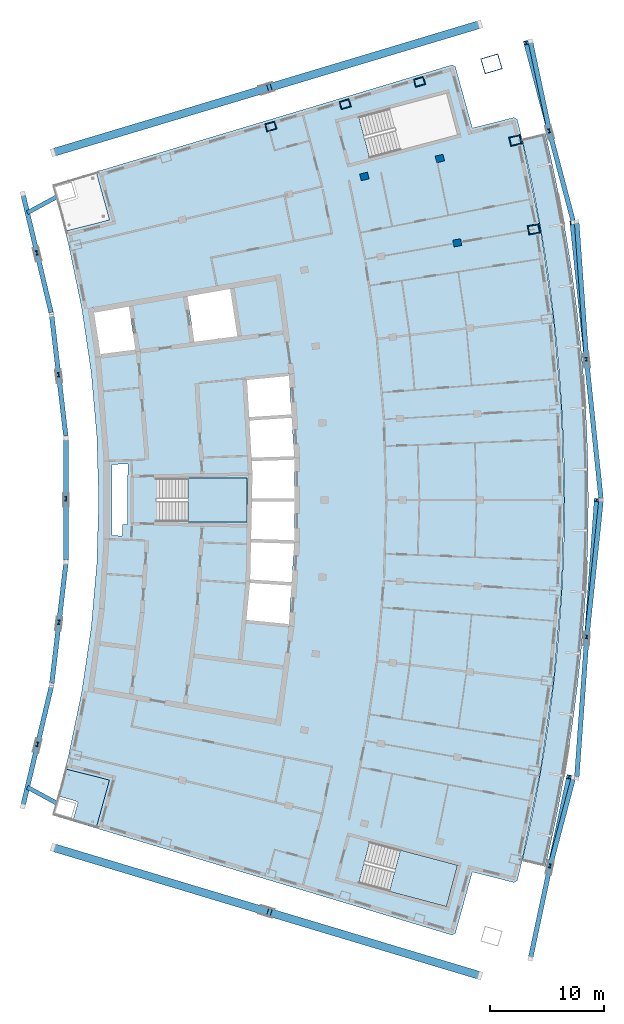
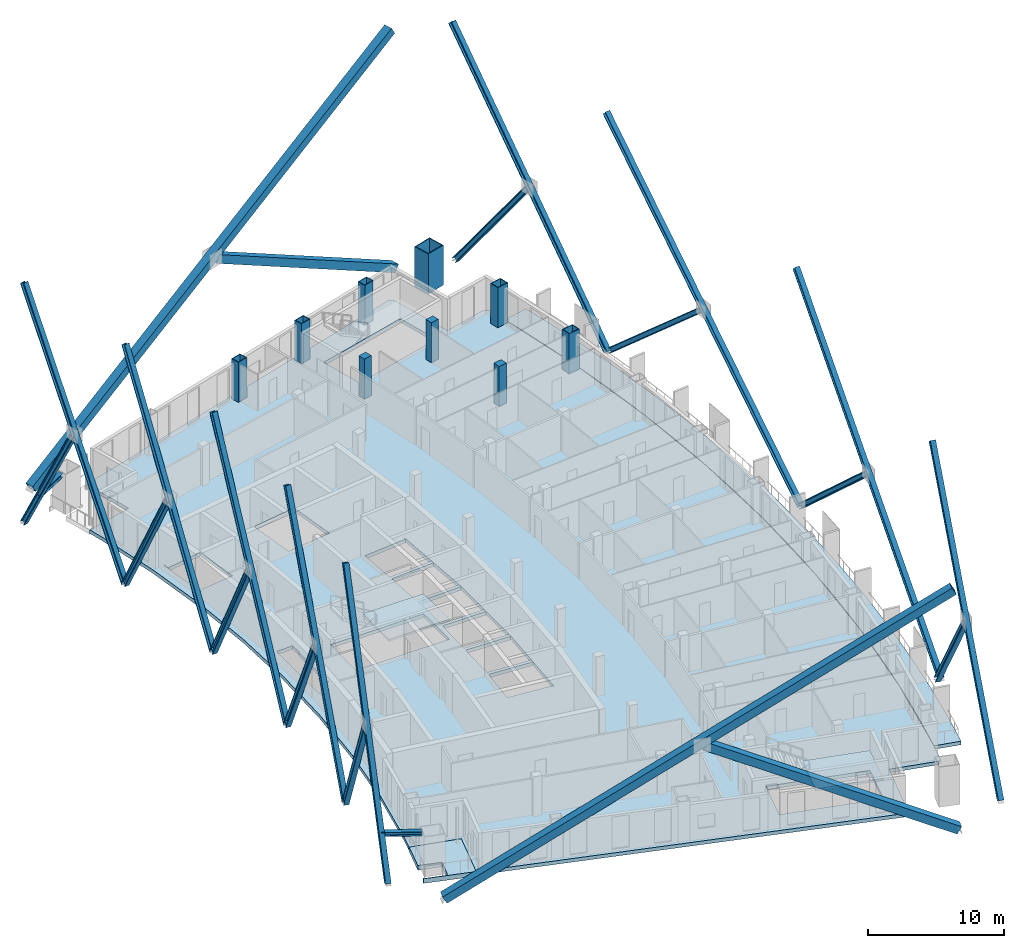
# One storey, part 6 of 21: 24 members, 9 columns, 5 slabs, 2 elements without a shape of their own.
"""IFC4 building model written with IfcOpenShell, lengths in metres."""

import ifcopenshell
import ifcopenshell.guid

model = None  # the IFC model being written
_history = None  # IfcOwnerHistory: only IFC2X3 demands one
_inside = {}  # id of a spatial element -> (the spatial element, [elements in it])
_under = {}  # id of a project, library or spatial element -> (it, [spatial elements below it])
_declared = {}  # id of a project -> (the project, [libraries it declares])
_typed = {}  # id of a type object -> (the type object, [elements of that type])
_made_of = {}  # id of a material, layer set ... -> (it, [elements and type objects made of it])


def new_model(schema):
    """Start an empty IFC model of exactly this schema.

    Asked for "IFC4X3", IfcOpenShell would pick the latest addendum, in which some entities
    have other attributes; the version numbers below select the first issue.
    IFC2X3 requires an IfcOwnerHistory on every rooted entity: one is made here for all.
    """
    global model, _history
    if schema == "IFC4X3":
        model = ifcopenshell.file(schema_version=(4, 3, 0, 0))
    else:
        model = ifcopenshell.file(schema=schema)
    _inside.clear()
    _under.clear()
    _declared.clear()
    _typed.clear()
    _made_of.clear()
    _history = None
    if model.schema == "IFC2X3":
        org = make("IfcOrganization", Name="unknown")
        user = make(
            "IfcPersonAndOrganization",
            ThePerson=make("IfcPerson", FamilyName="unknown"),
            TheOrganization=org,
        )
        app = make(
            "IfcApplication",
            ApplicationDeveloper=org,
            Version="unknown",
            ApplicationFullName="unknown",
            ApplicationIdentifier="unknown",
        )
        _history = make(
            "IfcOwnerHistory",
            OwningUser=user,
            OwningApplication=app,
            ChangeAction="ADDED",
            CreationDate=0,
        )
    return model


def make(cls, **values):
    """One entity of the class cls with the attributes given. An attribute that is None is left unset."""
    return model.create_entity(
        cls, **{name: value for name, value in values.items() if value is not None}
    )


def rooted(cls, **values):
    """An entity with a GlobalId (a new one), such as an element, a storey or a relation."""
    return make(cls, GlobalId=ifcopenshell.guid.new(), OwnerHistory=_history, **values)


def si_unit(unit_type, name, prefix=None):
    """IfcSIUnit, for example si_unit("LENGTHUNIT", "METRE", prefix="MILLI")."""
    return make("IfcSIUnit", UnitType=unit_type, Prefix=prefix, Name=name)


def assignment(units):
    """IfcUnitAssignment: the units of a project."""
    return None if units is None else make("IfcUnitAssignment", Units=units)


def point(xyz):
    """IfcCartesianPoint."""
    return None if xyz is None else make("IfcCartesianPoint", Coordinates=xyz)


def direction(xyz):
    """IfcDirection."""
    return None if xyz is None else make("IfcDirection", DirectionRatios=xyz)


def frame(location, z_axis=None, x_axis=None):
    """IfcAxis2Placement3D, a coordinate frame: its origin and axes. An axis left out is left unset."""
    return make(
        "IfcAxis2Placement3D",
        Location=point(location),
        Axis=direction(z_axis),
        RefDirection=direction(x_axis),
    )


def frame_2d(location, x_axis=None):
    """IfcAxis2Placement2D, a coordinate frame in the plane: its origin and x axis."""
    return make(
        "IfcAxis2Placement2D", Location=point(location), RefDirection=direction(x_axis)
    )


def origin():
    """The frame at (0, 0, 0) with its axes left unset."""
    return frame((0.0, 0.0, 0.0))


def origin_2d():
    """The frame at (0, 0) in the plane with its x axis left unset."""
    return frame_2d((0.0, 0.0))


def place(relative_to, where):
    """IfcLocalPlacement: puts the frame where relative to a parent placement (None: the world)."""
    return make(
        "IfcLocalPlacement", PlacementRelTo=relative_to, RelativePlacement=where
    )


def context(
    kind, dimensions, precision=None, world=None, true_north=None, identifier=None
):
    """IfcGeometricRepresentationContext, for example the 3D "Model" context."""
    return make(
        "IfcGeometricRepresentationContext",
        ContextIdentifier=identifier,
        ContextType=kind,
        CoordinateSpaceDimension=dimensions,
        Precision=precision,
        WorldCoordinateSystem=world,
        TrueNorth=true_north,
    )


def subcontext(parent, identifier, kind, view, scale=None):
    """IfcGeometricRepresentationSubContext, for example "Body" below "Model"."""
    return make(
        "IfcGeometricRepresentationSubContext",
        ContextIdentifier=identifier,
        ContextType=kind,
        ParentContext=parent,
        TargetScale=scale,
        TargetView=view,
    )


def project(units=None, contexts=None):
    """IfcProject with its units and contexts."""
    return rooted(
        "IfcProject",
        Name="project",
        RepresentationContexts=contexts,
        UnitsInContext=assignment(units),
    )


def spatial(cls, under=None, at=None, **own):
    """A site, building, storey or space (cls), placed at a placement, below another one or the project."""
    s = rooted(cls, ObjectPlacement=at, **own)
    if under is not None:
        _under.setdefault(under.id(), (under, []))[1].append(s)
    return s


def polyline(points):
    """IfcPolyline through the points."""
    return make("IfcPolyline", Points=[point(p) for p in points])


def profile(cls, at=None, kind="AREA", **sizes):
    """A parametric profile (cls). Its sizes go by their IFC names, for example OverallWidth=200.0."""
    return make(cls, ProfileType=kind, Position=at, **sizes)


def rectangle(**sizes):
    """IfcRectangleProfileDef."""
    return profile("IfcRectangleProfileDef", **sizes)


def hollow_rectangle(**sizes):
    """IfcRectangleHollowProfileDef."""
    return profile("IfcRectangleHollowProfileDef", **sizes)


def i_section(**sizes):
    """IfcIShapeProfileDef."""
    return profile("IfcIShapeProfileDef", **sizes)


def outline(outer, holes=None, kind="AREA"):
    """IfcArbitraryClosedProfileDef: a profile drawn as a closed curve; with holes, ...WithVoids."""
    if holes is None:
        return make("IfcArbitraryClosedProfileDef", ProfileType=kind, OuterCurve=outer)
    return make(
        "IfcArbitraryProfileDefWithVoids",
        ProfileType=kind,
        OuterCurve=outer,
        InnerCurves=holes,
    )


def extrude(swept, where, along, depth):
    """IfcExtrudedAreaSolid: the profile swept, set in the frame where, extruded along a direction by depth."""
    return make(
        "IfcExtrudedAreaSolid",
        SweptArea=swept,
        Position=where,
        ExtrudedDirection=direction(along),
        Depth=depth,
    )


def shape(context_of_items, identifier, shape_type, items):
    """IfcShapeRepresentation: the items that make up one representation, for example the "Body"."""
    return make(
        "IfcShapeRepresentation",
        ContextOfItems=context_of_items,
        RepresentationIdentifier=identifier,
        RepresentationType=shape_type,
        Items=items,
    )


def material(Name=None, Category=None):
    """IfcMaterial."""
    return make("IfcMaterial", Name=Name, Category=Category)


def layer(
    of_material, thickness, ventilated=None, Name=None, Category=None, Priority=None
):
    """IfcMaterialLayer: one layer of a wall or slab, of a material (None: an air gap)."""
    return make(
        "IfcMaterialLayer",
        Material=of_material,
        LayerThickness=thickness,
        IsVentilated=ventilated,
        Name=Name,
        Category=Category,
        Priority=Priority,
    )


def layer_set(layers, Name=None):
    """IfcMaterialLayerSet."""
    return make("IfcMaterialLayerSet", MaterialLayers=layers, LayerSetName=Name)


def material_profile(
    of_material, cross_section, Name=None, Category=None, Priority=None
):
    """IfcMaterialProfile: a cross section and its material."""
    return make(
        "IfcMaterialProfile",
        Name=Name,
        Material=of_material,
        Profile=cross_section,
        Priority=Priority,
        Category=Category,
    )


def profile_set(profiles, Name=None, composite=None):
    """IfcMaterialProfileSet."""
    return make(
        "IfcMaterialProfileSet",
        Name=Name,
        MaterialProfiles=profiles,
        CompositeProfile=composite,
    )


def made_of(thing, what):
    """Note that an element or type object is made of a material, layer set ...; save() writes the relation."""
    if what is not None:
        _made_of.setdefault(what.id(), (what, []))[1].append(thing)
    return thing


def type_object(cls, material=None, **own):
    """A type object (cls), such as IfcWallType, which elements share."""
    return made_of(rooted(cls, **own), material)


def element(
    cls,
    number,
    at=None,
    inside=None,
    cuts=None,
    type_object=None,
    material=None,
    context=None,
    identifier="Body",
    shape_type=None,
    held_by="IfcProductDefinitionShape",
    body=None,
    shapes=None,
    **own,
):
    """One element of the class cls, such as IfcWall. Its Tag is "e" and its number.

    at: its placement. inside: the storey or other place that contains it. cuts: it is an
    opening in that element (IfcRelVoidsElement). A single representation is given by context,
    identifier, shape_type and body (its items); several are given by shapes. held_by: the class
    of the entity that holds the representations. save() writes the other relations.
    """
    e = rooted(cls, Tag="e%d" % number, ObjectPlacement=at, **own)
    if body is not None:
        shapes = [shape(context, identifier, shape_type, body)]
    if shapes is not None:
        e.Representation = make(held_by, Representations=shapes)
    if inside is not None:
        _inside.setdefault(inside.id(), (inside, []))[1].append(e)
    if cuts is not None:
        rooted(
            "IfcRelVoidsElement", RelatingBuildingElement=cuts, RelatedOpeningElement=e
        )
    if type_object is not None:
        _typed.setdefault(type_object.id(), (type_object, []))[1].append(e)
    return made_of(e, material)


def aggregate(whole, parts):
    """IfcRelAggregates: a whole, such as a stair, and the parts it consists of."""
    return rooted("IfcRelAggregates", RelatingObject=whole, RelatedObjects=parts)


def save(model, path):
    """Write the relations noted so far, then the file.

    IfcRelAggregates (storeys below a building ...), IfcRelContainedInSpatialStructure (elements
    in a storey), IfcRelDefinesByType, IfcRelAssociatesMaterial and IfcRelDeclares: one each for
    every whole, place, type object, material and project.
    """
    for whole, parts in _under.values():
        aggregate(whole, parts)
    for where, things in _inside.values():
        rooted(
            "IfcRelContainedInSpatialStructure",
            RelatedElements=things,
            RelatingStructure=where,
        )
    for kind, things in _typed.values():
        rooted("IfcRelDefinesByType", RelatedObjects=things, RelatingType=kind)
    for what, things in _made_of.values():
        rooted("IfcRelAssociatesMaterial", RelatedObjects=things, RelatingMaterial=what)
    for by, libraries in _declared.values():
        rooted("IfcRelDeclares", RelatingContext=by, RelatedDefinitions=libraries)
    model.write(path)


model = new_model("IFC4")

# Units and contexts
model_context = context("Model", 3, precision=1e-05, world=origin(), true_north=direction((0.0, 1.0)))
body_context = subcontext(model_context, "Body", "Model", "MODEL_VIEW")
ifc_project = project(units=[si_unit("LENGTHUNIT", "METRE"), si_unit("AREAUNIT", "SQUARE_METRE"), si_unit("VOLUMEUNIT", "CUBIC_METRE"), si_unit("PLANEANGLEUNIT", "RADIAN"), si_unit("MASSUNIT", "GRAM", prefix="KILO")], contexts=[model_context])

# Site, building, storey
site_placement = place(None, origin())
site = spatial("IfcSite", under=ifc_project, at=site_placement, CompositionType="ELEMENT")
building_placement = place(site_placement, origin())
building = spatial("IfcBuilding", under=site, at=building_placement, Name="Alderwake Tower", CompositionType="ELEMENT")
storey_placement = place(building_placement, frame((0.0, 0.0, 267.199951171875)))
storey = spatial("IfcBuildingStorey", under=building, at=storey_placement, Name="L66", CompositionType="ELEMENT", Elevation=267.199951171875)

# Columns
ifc_material_1 = material(Name="Steel ASTM A572 Grade 50 concrete filled C70/85", Category="concrete")
ifc_material_profile_1 = material_profile(ifc_material_1, hollow_rectangle(XDim=0.699951171875, YDim=0.89990234375, WallThickness=0.050048828125, at=origin_2d()), Name="BOX 900X700X50")
ifc_profile_set_1 = profile_set([ifc_material_profile_1], Name="Steel ASTM A572 Grade 50 concrete filled C70/85")
column_type_1 = type_object("IfcColumnType", Name="End column Z5", PredefinedType="COLUMN", material=ifc_profile_set_1)
for number, where, z_axis, x_axis, name in (
    (1, (31.080322265625, 93.72314453125, 0.0), (0.0, 0.0, 1.0), (-0.282582549822, 0.959242984095, 0.0), "Column R12-C2"),
    (2, (37.59326171875, 95.678466796875, 0.0), (0.0, 0.0, 1.0), (-0.282858780249, 0.959161566388, 0.0), "Column R12-C3"),
    (3, (44.106201171875, 97.6337890625, 0.0), (0.0, 0.0, 1.0), (-0.28310485669, 0.95908896361, 0.0), "Column R12-C4"),
):
    element("IfcColumn", number, at=place(storey_placement, frame(where, z_axis=z_axis, x_axis=x_axis)), inside=storey, type_object=column_type_1, Name=name, PredefinedType="COLUMN", context=body_context, shape_type="SweptSolid", body=[
        extrude(hollow_rectangle(XDim=0.699951171875, YDim=0.89990234375, WallThickness=0.050048828125, at=origin_2d()), origin(), (0.0, 0.0, 1.0), 3.60009765625),
    ])
ifc_material_2 = material(Name="Concrete C70/85", Category="concrete")
ifc_material_profile_2 = material_profile(ifc_material_2, rectangle(XDim=0.60009765625, YDim=0.699951171875, at=origin_2d()), Name="RC 700X600")
ifc_profile_set_2 = profile_set([ifc_material_profile_2], Name="Concrete C70/85")
column_type_2 = type_object("IfcColumnType", Name="Interior column Z5", PredefinedType="COLUMN", material=ifc_profile_set_2)
for number, where, z_axis, x_axis, name in (
    (4, (47.423583984375, 83.529541015625, 0.0), (0.0, 0.0, 1.0), (-0.174108800747, 0.984726421654, 0.0), "Column R10-C4"),
    (5, (39.277587890625, 89.347900390625, 0.0), (0.0, 0.0, 1.0), (-0.231221547198, 0.972901123502, 0.0), "Column R11-C3"),
    (6, (45.893310546875, 90.920166015625, 0.0), (0.0, 0.0, 1.0), (-0.231221547198, 0.972901123502, 0.0), "Column R11-C4"),
):
    element("IfcColumn", number, at=place(storey_placement, frame(where, z_axis=z_axis, x_axis=x_axis)), inside=storey, type_object=column_type_2, Name=name, PredefinedType="COLUMN", context=body_context, shape_type="SweptSolid", body=[
        extrude(rectangle(XDim=0.60009765625, YDim=0.699951171875, at=origin_2d()), origin(), (0.0, 0.0, 1.0), 3.60009765625),
    ])
ifc_material_3 = material(Name="Steel ASTM A572 Grade 50 concrete filled C70/85", Category="concrete")
ifc_material_profile_3 = material_profile(ifc_material_3, hollow_rectangle(XDim=1.39990234375, YDim=1.60009765625, WallThickness=0.070068359375, at=origin_2d()), Name="BOX 1600X1400X70")
ifc_profile_set_3 = profile_set([ifc_material_profile_3], Name="Steel ASTM A572 Grade 50 concrete filled C70/85")
column_type_3 = type_object("IfcColumnType", Name="Mega column Z5", PredefinedType="COLUMN", material=ifc_profile_set_3)
column_placement = place(storey_placement, frame((50.415771484375, 99.217041015625, 0.0), z_axis=(0.0, 0.0, 1.0), x_axis=(-0.281214445816, 0.959644952816, 0.0)))
element("IfcColumn", 7, at=column_placement, inside=storey, type_object=column_type_3, Name="Column R12-C5", PredefinedType="COLUMN", context=body_context, shape_type="SweptSolid", body=[
    extrude(hollow_rectangle(XDim=1.39990234375, YDim=1.60009765625, WallThickness=0.070068359375, at=origin_2d()), origin(), (0.0, 0.0, 1.0), 3.60009765625),
])
ifc_material_4 = material(Name="Steel ASTM A572 Grade 50 concrete filled C70/85", Category="concrete")
ifc_material_profile_4 = material_profile(ifc_material_4, hollow_rectangle(XDim=0.800048828125, YDim=1.0, WallThickness=0.054931640625, at=origin_2d()), Name="BOX 1000X800X55")
ifc_profile_set_4 = profile_set([ifc_material_profile_4], Name="Steel ASTM A572 Grade 50 concrete filled C70/85")
column_type_4 = type_object("IfcColumnType", Name="Perimeter column Z5", PredefinedType="COLUMN", material=ifc_profile_set_4)
for number, where, z_axis, x_axis, name in (
    (8, (54.119873046875, 84.71337890625, 0.0), (0.0, 0.0, 1.0), (-0.174107082075, 0.984726725529, 0.0), "Column R10-C5"),
    (9, (52.509033203125, 92.492431640625, 0.0), (0.0, 0.0, 1.0), (-0.231221547198, 0.972901123502, 0.0), "Column R11-C5"),
):
    element("IfcColumn", number, at=place(storey_placement, frame(where, z_axis=z_axis, x_axis=x_axis)), inside=storey, type_object=column_type_4, Name=name, PredefinedType="COLUMN", context=body_context, shape_type="SweptSolid", body=[
        extrude(hollow_rectangle(XDim=0.800048828125, YDim=1.0, WallThickness=0.054931640625, at=origin_2d()), origin(), (0.0, 0.0, 1.0), 3.60009765625),
    ])

# Members
ifc_material_5 = material(Name="Steel ASTM A992 Grade 50", Category="steel")
ifc_material_profile_5 = material_profile(ifc_material_5, i_section(OverallWidth=0.3740234375, OverallDepth=0.372314453125, WebThickness=0.016357421875, FlangeThickness=0.026123046875, at=origin_2d()), Name="W14X132")
ifc_profile_set_5 = profile_set([ifc_material_profile_5], Name="Steel ASTM A992 Grade 50")
member_type_1 = type_object("IfcMemberType", Name="Brace node stub W14X132", PredefinedType="MEMBER", material=ifc_profile_set_5)
for number, where, z_axis, x_axis, name in (
    (10, (12.394775390625, 34.39599609375, 3.393798828125), (-0.87806620214, 0.478539177769, 0.0), (-0.478539177769, -0.87806620214, 0.0), "Brace node stub BS.RR02-C0.2708"),
    (11, (12.394775390625, 87.60400390625, 3.393798828125), (-0.87806620214, -0.478539177769, 0.0), (0.478539177769, -0.87806620214, 0.0), "Brace node stub BS.RR12-C0.2708"),
):
    element("IfcMember", number, at=place(storey_placement, frame(where, z_axis=z_axis, x_axis=x_axis)), inside=storey, type_object=member_type_1, Name=name, PredefinedType="MEMBER", context=body_context, shape_type="SweptSolid", body=[
        extrude(i_section(OverallWidth=0.3740234375, OverallDepth=0.372314453125, WebThickness=0.016357421875, FlangeThickness=0.026123046875, at=origin_2d()), origin(), (0.0, 0.0, 1.0), 3.006591796875),
    ])
ifc_material_6 = material(Name="Steel ASTM A572 Grade 50", Category="steel")
ifc_material_profile_6 = material_profile(ifc_material_6, hollow_rectangle(XDim=0.699951171875, YDim=0.699951171875, WallThickness=0.044921875, at=origin_2d()), Name="BOX 700X700X45")
ifc_profile_set_6 = profile_set([ifc_material_profile_6], Name="Steel ASTM A572 Grade 50")
member_type_2 = type_object("IfcMemberType", Name="Mega brace end Z5", PredefinedType="BRACE", material=ifc_profile_set_6)
member_1_placement = place(storey_placement, frame((12.031005859375, 30.550537109375, 0.0), z_axis=(0.835804812087, -0.250930760765, 0.488327829838), x_axis=(0.287546909222, 0.957766555585, 0.0)))
element("IfcMember", 12, at=member_1_placement, inside=storey, type_object=member_type_2, Name="Brace BRS5.2.0A", PredefinedType="BRACE", context=body_context, shape_type="SweptSolid", body=[
    extrude(hollow_rectangle(XDim=0.699951171875, YDim=0.699951171875, WallThickness=0.044921875, at=origin_2d()), origin(), (0.0, 0.0, 1.0), 44.232666015625),
])
member_2_placement = place(storey_placement, frame((49.384033203125, 19.336181640625, 0.0), z_axis=(-0.837842446118, 0.251544795136, 0.484505161503), x_axis=(-0.287549302812, -0.957765836963, 0.0)))
element("IfcMember", 13, at=member_2_placement, inside=storey, type_object=member_type_2, Name="Brace BRS5.2.0B1", PredefinedType="BRACE", context=body_context, shape_type="SweptSolid", body=[
    extrude(hollow_rectangle(XDim=0.699951171875, YDim=0.699951171875, WallThickness=0.044921875, at=origin_2d()), origin(), (0.0, 0.0, 1.0), 21.990966796875),
])
member_3_placement = place(storey_placement, frame((12.031005859375, 91.449462890625, 0.0), z_axis=(0.835804812087, 0.250930760765, 0.488327829838), x_axis=(-0.287546909222, 0.957766555585, 0.0)))
element("IfcMember", 14, at=member_3_placement, inside=storey, type_object=member_type_2, Name="Brace BRN5.2.0A", PredefinedType="BRACE", context=body_context, shape_type="SweptSolid", body=[
    extrude(hollow_rectangle(XDim=0.699951171875, YDim=0.699951171875, WallThickness=0.044921875, at=origin_2d()), origin(), (0.0, 0.0, 1.0), 44.232666015625),
])
member_4_placement = place(storey_placement, frame((49.384033203125, 102.663818359375, 0.0), z_axis=(-0.837842446118, -0.251544795136, 0.484505161503), x_axis=(0.287549302812, -0.957765836963, 0.0)))
element("IfcMember", 15, at=member_4_placement, inside=storey, type_object=member_type_2, Name="Brace BRN5.2.0B1", PredefinedType="BRACE", context=body_context, shape_type="SweptSolid", body=[
    extrude(hollow_rectangle(XDim=0.699951171875, YDim=0.699951171875, WallThickness=0.044921875, at=origin_2d()), origin(), (0.0, 0.0, 1.0), 21.990966796875),
])
ifc_material_7 = material(Name="Steel ASTM A992 Grade 50", Category="steel")
ifc_material_profile_7 = material_profile(ifc_material_7, i_section(OverallWidth=0.41552734375, OverallDepth=0.445556640625, WebThickness=0.0390625, FlangeThickness=0.062744140625, at=origin_2d()), Name="W14X342")
ifc_profile_set_7 = profile_set([ifc_material_profile_7], Name="Steel ASTM A992 Grade 50")
member_type_3 = type_object("IfcMemberType", Name="Mega brace face Z5", PredefinedType="BRACE", material=ifc_profile_set_7)
member_5_placement = place(storey_placement, frame((53.831298828125, 20.820068359375, 0.0), z_axis=(0.124711555127, 0.588694509192, 0.798677533717), x_axis=(-0.978289087246, 0.207244931843, 0.0)))
element("IfcMember", 16, at=member_5_placement, inside=storey, type_object=member_type_3, Name="Brace BRF5.2.2A", PredefinedType="BRACE", context=body_context, shape_type="SweptSolid", body=[
    extrude(i_section(OverallWidth=0.41552734375, OverallDepth=0.445556640625, WebThickness=0.0390625, FlangeThickness=0.062744140625, at=origin_2d()), origin(), (0.0, 0.0, 1.0), 27.044921875),
])
member_6_placement = place(storey_placement, frame((57.598388671875, 36.67138671875, 0.0), z_axis=(-0.153484168648, -0.581849200174, 0.79868273941), x_axis=(0.966924694809, -0.255062021024, 0.0)))
element("IfcMember", 17, at=member_6_placement, inside=storey, type_object=member_type_3, Name="Brace BRF5.2.2B1", PredefinedType="BRACE", context=body_context, shape_type="SweptSolid", body=[
    extrude(i_section(OverallWidth=0.41552734375, OverallDepth=0.445556640625, WebThickness=0.0390625, FlangeThickness=0.062744140625, at=origin_2d()), origin(), (0.0, 0.0, 1.0), 13.307373046875),
])
member_7_placement = place(storey_placement, frame((57.885009765625, 36.62060546875, 0.0), z_axis=(0.053262061179, 0.74742030708, 0.662212984925), x_axis=(-0.997470550975, 0.071080939341, 0.0)))
element("IfcMember", 18, at=member_7_placement, inside=storey, type_object=member_type_3, Name="Brace BRF5.2.4A", PredefinedType="BRACE", context=body_context, shape_type="SweptSolid", body=[
    extrude(i_section(OverallWidth=0.41552734375, OverallDepth=0.445556640625, WebThickness=0.0390625, FlangeThickness=0.062744140625, at=origin_2d()), origin(), (0.0, 0.0, 1.0), 32.6181640625),
])
member_8_placement = place(storey_placement, frame((60.023681640625, 61.0, 0.0), z_axis=(-0.077681041862, -0.745277130747, 0.662214205617), x_axis=(0.994611804714, -0.103669464755, 0.0)))
element("IfcMember", 19, at=member_8_placement, inside=storey, type_object=member_type_3, Name="Brace BRF5.2.4B1", PredefinedType="BRACE", context=body_context, shape_type="SweptSolid", body=[
    extrude(i_section(OverallWidth=0.41552734375, OverallDepth=0.445556640625, WebThickness=0.0390625, FlangeThickness=0.062744140625, at=origin_2d()), origin(), (0.0, 0.0, 1.0), 16.10400390625),
])
member_9_placement = place(storey_placement, frame((60.023681640625, 61.0, 0.0), z_axis=(-0.077692832428, 0.745274857197, 0.662215381141), x_axis=(-0.994610149513, -0.103685343644, 0.0)))
element("IfcMember", 20, at=member_9_placement, inside=storey, type_object=member_type_3, Name="Brace BRF5.2.7A", PredefinedType="BRACE", context=body_context, shape_type="SweptSolid", body=[
    extrude(i_section(OverallWidth=0.41552734375, OverallDepth=0.445556640625, WebThickness=0.0390625, FlangeThickness=0.062744140625, at=origin_2d()), origin(), (0.0, 0.0, 1.0), 32.617919921875),
])
member_10_placement = place(storey_placement, frame((57.885009765625, 85.37939453125, 0.0), z_axis=(0.053258094981, -0.747417404122, 0.662216580383), x_axis=(0.997470906676, 0.071075947651, 0.0)))
element("IfcMember", 21, at=member_10_placement, inside=storey, type_object=member_type_3, Name="Brace BRF5.2.7B1", PredefinedType="BRACE", context=body_context, shape_type="SweptSolid", body=[
    extrude(i_section(OverallWidth=0.41552734375, OverallDepth=0.445556640625, WebThickness=0.0390625, FlangeThickness=0.062744140625, at=origin_2d()), origin(), (0.0, 0.0, 1.0), 16.10400390625),
])
member_11_placement = place(storey_placement, frame((57.598388671875, 85.32861328125, 0.0), z_axis=(-0.15348188942, 0.581853616196, 0.798679960272), x_axis=(-0.966926106342, -0.255056669925, 0.0)))
element("IfcMember", 22, at=member_11_placement, inside=storey, type_object=member_type_3, Name="Brace BRF5.2.10A", PredefinedType="BRACE", context=body_context, shape_type="SweptSolid", body=[
    extrude(i_section(OverallWidth=0.41552734375, OverallDepth=0.445556640625, WebThickness=0.0390625, FlangeThickness=0.062744140625, at=origin_2d()), origin(), (0.0, 0.0, 1.0), 27.044677734375),
])
member_12_placement = place(storey_placement, frame((53.831298828125, 101.179931640625, 0.0), z_axis=(0.124698844107, -0.588691556524, 0.798681694767), x_axis=(0.978293158961, 0.207225710591, 0.0)))
element("IfcMember", 23, at=member_12_placement, inside=storey, type_object=member_type_3, Name="Brace BRF5.2.10B1", PredefinedType="BRACE", context=body_context, shape_type="SweptSolid", body=[
    extrude(i_section(OverallWidth=0.41552734375, OverallDepth=0.445556640625, WebThickness=0.0390625, FlangeThickness=0.062744140625, at=origin_2d()), origin(), (0.0, 0.0, 1.0), 13.307373046875),
])
member_13_placement = place(storey_placement, frame((9.359619140625, 34.171630859375, 0.0), z_axis=(0.104006014518, 0.437626782623, 0.893121239292), x_axis=(-0.972901726667, 0.23121900927, 0.0)))
element("IfcMember", 24, at=member_13_placement, inside=storey, type_object=member_type_3, Name="Brace BRR5.2.2A", PredefinedType="BRACE", context=body_context, shape_type="SweptSolid", body=[
    extrude(i_section(OverallWidth=0.41552734375, OverallDepth=0.445556640625, WebThickness=0.0390625, FlangeThickness=0.062744140625, at=origin_2d()), origin(), (0.0, 0.0, 1.0), 24.18505859375),
])
member_14_placement = place(storey_placement, frame((11.875, 44.755615234375, 0.0), z_axis=(-0.104001073679, -0.437622959872, 0.893123687776), x_axis=(0.972903743222, -0.231210524034, 0.0)))
element("IfcMember", 25, at=member_14_placement, inside=storey, type_object=member_type_3, Name="Brace BRR5.2.2B1", PredefinedType="BRACE", context=body_context, shape_type="SweptSolid", body=[
    extrude(i_section(OverallWidth=0.41552734375, OverallDepth=0.445556640625, WebThickness=0.0390625, FlangeThickness=0.062744140625, at=origin_2d()), origin(), (0.0, 0.0, 1.0), 11.8125),
])
member_15_placement = place(storey_placement, frame((11.875, 44.755615234375, 0.0), z_axis=(0.052361265351, 0.446761619557, 0.893119450679), x_axis=(-0.993201825706, 0.116405040331, 0.0)))
element("IfcMember", 26, at=member_15_placement, inside=storey, type_object=member_type_3, Name="Brace BRR5.2.4A", PredefinedType="BRACE", context=body_context, shape_type="SweptSolid", body=[
    extrude(i_section(OverallWidth=0.41552734375, OverallDepth=0.445556640625, WebThickness=0.0390625, FlangeThickness=0.062744140625, at=origin_2d()), origin(), (0.0, 0.0, 1.0), 24.18505859375),
])
member_16_placement = place(storey_placement, frame((13.141357421875, 55.560546875, 0.0), z_axis=(-0.052372410853, -0.446756919099, 0.893121148456), x_axis=(0.993198819114, -0.116430690583, 0.0)))
element("IfcMember", 27, at=member_16_placement, inside=storey, type_object=member_type_3, Name="Brace BRR5.2.4B1", PredefinedType="BRACE", context=body_context, shape_type="SweptSolid", body=[
    extrude(i_section(OverallWidth=0.41552734375, OverallDepth=0.445556640625, WebThickness=0.0390625, FlangeThickness=0.062744140625, at=origin_2d()), origin(), (0.0, 0.0, 1.0), 11.8125),
])
member_17_placement = place(storey_placement, frame((13.141357421875, 55.560546875, 0.0), z_axis=(0.0, 0.449820166102, 0.89311915116), x_axis=(-1.0, 0.0, 0.0)))
element("IfcMember", 28, at=member_17_placement, inside=storey, type_object=member_type_3, Name="Brace BRR5.2.6A", PredefinedType="BRACE", context=body_context, shape_type="SweptSolid", body=[
    extrude(i_section(OverallWidth=0.41552734375, OverallDepth=0.445556640625, WebThickness=0.0390625, FlangeThickness=0.062744140625, at=origin_2d()), origin(), (0.0, 0.0, 1.0), 24.18505859375),
])
member_18_placement = place(storey_placement, frame((13.141357421875, 66.439453125, 0.0), z_axis=(0.0, -0.449815853512, 0.893121323186), x_axis=(1.0, 0.0, 0.0)))
element("IfcMember", 29, at=member_18_placement, inside=storey, type_object=member_type_3, Name="Brace BRR5.2.6B1", PredefinedType="BRACE", context=body_context, shape_type="SweptSolid", body=[
    extrude(i_section(OverallWidth=0.41552734375, OverallDepth=0.445556640625, WebThickness=0.0390625, FlangeThickness=0.062744140625, at=origin_2d()), origin(), (0.0, 0.0, 1.0), 11.8125),
])
member_19_placement = place(storey_placement, frame((13.141357421875, 66.439453125, 0.0), z_axis=(-0.052361265351, 0.446761619557, 0.893119450679), x_axis=(-0.993201825706, -0.116405040331, 0.0)))
element("IfcMember", 30, at=member_19_placement, inside=storey, type_object=member_type_3, Name="Brace BRR5.2.8A", PredefinedType="BRACE", context=body_context, shape_type="SweptSolid", body=[
    extrude(i_section(OverallWidth=0.41552734375, OverallDepth=0.445556640625, WebThickness=0.0390625, FlangeThickness=0.062744140625, at=origin_2d()), origin(), (0.0, 0.0, 1.0), 24.18505859375),
])
member_20_placement = place(storey_placement, frame((11.875, 77.244384765625, 0.0), z_axis=(0.052351316231, -0.446773945108, 0.89311386825), x_axis=(0.993204753755, 0.116380054645, 0.0)))
element("IfcMember", 31, at=member_20_placement, inside=storey, type_object=member_type_3, Name="Brace BRR5.2.8B1", PredefinedType="BRACE", context=body_context, shape_type="SweptSolid", body=[
    extrude(i_section(OverallWidth=0.41552734375, OverallDepth=0.445556640625, WebThickness=0.0390625, FlangeThickness=0.062744140625, at=origin_2d()), origin(), (0.0, 0.0, 1.0), 11.812744140625),
])
member_21_placement = place(storey_placement, frame((11.875, 77.244384765625, 0.0), z_axis=(-0.104006014518, 0.437626782623, 0.893121239292), x_axis=(-0.972901726667, -0.23121900927, 0.0)))
element("IfcMember", 32, at=member_21_placement, inside=storey, type_object=member_type_3, Name="Brace BRR5.2.10A", PredefinedType="BRACE", context=body_context, shape_type="SweptSolid", body=[
    extrude(i_section(OverallWidth=0.41552734375, OverallDepth=0.445556640625, WebThickness=0.0390625, FlangeThickness=0.062744140625, at=origin_2d()), origin(), (0.0, 0.0, 1.0), 24.18505859375),
])
member_22_placement = place(storey_placement, frame((9.359619140625, 87.828369140625, 0.0), z_axis=(0.104000133004, -0.437639669389, 0.893115609601), x_axis=(0.972906199362, 0.231200188675, 0.0)))
element("IfcMember", 33, at=member_22_placement, inside=storey, type_object=member_type_3, Name="Brace BRR5.2.10B1", PredefinedType="BRACE", context=body_context, shape_type="SweptSolid", body=[
    extrude(i_section(OverallWidth=0.41552734375, OverallDepth=0.445556640625, WebThickness=0.0390625, FlangeThickness=0.062744140625, at=origin_2d()), origin(), (0.0, 0.0, 1.0), 11.812744140625),
])

# Slabs
ifc_material_8 = material(Name="Concrete C50/60", Category="concrete")
ifc_layer_1 = layer(ifc_material_8, 0.320068359375)
ifc_layer_set_1 = layer_set([ifc_layer_1], Name="Balcony slab 320")
slab_type_1 = type_object("IfcSlabType", Name="Balcony slab 320", PredefinedType="FLOOR", material=ifc_layer_set_1)
slab_1_placement = place(storey_placement, frame((0.0, 0.0, -0.320068359375)))
element("IfcSlab", 34, at=slab_1_placement, inside=storey, type_object=slab_type_1, Name="Balcony BF03", PredefinedType="FLOOR", context=body_context, shape_type="SweptSolid", body=[
    extrude(outline(polyline([(55.135986328125, 28.88330078125), (55.58984375, 30.857421875), (56.01513671875, 32.837890625), (56.411376953125, 34.82421875), (56.778564453125, 36.81640625), (57.11669921875, 38.813720703125), (57.425537109375, 40.8154296875), (57.705322265625, 42.82177734375), (57.955810546875, 44.831787109375), (58.177001953125, 46.84521484375), (58.36865234375, 48.86181640625), (58.531005859375, 50.880859375), (58.663818359375, 52.902099609375), (58.76708984375, 54.925048828125), (58.8408203125, 56.94921875), (58.88525390625, 58.974365234375), (58.89990234375, 61.0), (58.88525390625, 63.025634765625), (58.8408203125, 65.05078125), (58.76708984375, 67.074951171875), (58.663818359375, 69.097900390625), (58.531005859375, 71.119140625), (58.36865234375, 73.13818359375), (58.177001953125, 75.15478515625), (57.955810546875, 77.168212890625), (57.705322265625, 79.17822265625), (57.425537109375, 81.1845703125), (57.11669921875, 83.186279296875), (56.778564453125, 85.18359375), (56.411376953125, 87.17578125), (56.01513671875, 89.162109375), (55.58984375, 91.142578125), (55.135986328125, 93.11669921875), (53.093017578125, 92.631103515625), (53.5400390625, 90.68701171875), (53.958740234375, 88.736328125), (54.348876953125, 86.77978515625), (54.710693359375, 84.818115234375), (55.043701171875, 82.85107421875), (55.347900390625, 80.87939453125), (55.623291015625, 78.903564453125), (55.8701171875, 76.923828125), (56.087890625, 74.94091796875), (56.276611328125, 72.95458984375), (56.4365234375, 70.96630859375), (56.5673828125, 68.9755859375), (56.669189453125, 66.983154296875), (56.74169921875, 64.989501953125), (56.785400390625, 62.994873046875), (56.800048828125, 61.0), (56.785400390625, 59.005126953125), (56.74169921875, 57.010498046875), (56.669189453125, 55.016845703125), (56.5673828125, 53.0244140625), (56.4365234375, 51.03369140625), (56.276611328125, 49.04541015625), (56.087890625, 47.05908203125), (55.8701171875, 45.076171875), (55.623291015625, 43.096435546875), (55.347900390625, 41.12060546875), (55.043701171875, 39.14892578125), (54.710693359375, 37.181884765625), (54.348876953125, 35.22021484375), (53.958740234375, 33.263671875), (53.5400390625, 31.31298828125), (53.093017578125, 29.368896484375), (55.135986328125, 28.88330078125)])), origin(), (0.0, 0.0, 1.0), 0.320068359375),
])
ifc_material_9 = material(Name="Concrete C50/60", Category="concrete")
ifc_layer_2 = layer(ifc_material_9, 0.320068359375)
ifc_layer_set_2 = layer_set([ifc_layer_2], Name="Concrete C50/60 post-tensioned flat plate 320")
slab_type_2 = type_object("IfcSlabType", Name="Concrete C50/60 post-tensioned flat plate 320", PredefinedType="FLOOR", material=ifc_layer_set_2)
slab_2_placement = place(storey_placement, frame((0.0, 0.0, -0.320068359375)))
element("IfcSlab", 35, at=slab_2_placement, inside=storey, type_object=slab_type_2, Name="Floor slab L66", PredefinedType="FLOOR", context=body_context, shape_type="SweptSolid", body=[
    extrude(outline(polyline([(13.06494140625, 37.443115234375), (13.3984375, 38.802734375), (14.53369140625, 44.28564453125), (15.347412109375, 49.825439453125), (15.836669921875, 55.4033203125), (16.0, 61.0), (15.836669921875, 66.5966796875), (15.347412109375, 72.174560546875), (14.53369140625, 77.71435546875), (13.3984375, 83.197265625), (13.06494140625, 84.556884765625), (16.942626953125, 85.53857421875), (15.776611328125, 89.7548828125), (46.970947265625, 99.120361328125), (47.252685546875, 98.96484375), (48.73974609375, 93.587158203125), (52.394287109375, 94.51220703125), (52.672119140625, 94.34521484375), (53.093017578125, 92.631103515625), (54.710693359375, 84.818115234375), (55.8701171875, 76.923828125), (56.5673828125, 68.9755859375), (56.800048828125, 61.0), (56.5673828125, 53.0244140625), (55.8701171875, 45.076171875), (54.710693359375, 37.181884765625), (53.093017578125, 29.368896484375), (52.672119140625, 27.65478515625), (52.394287109375, 27.48779296875), (48.73974609375, 28.412841796875), (47.252685546875, 23.03515625), (46.970947265625, 22.879638671875), (15.776611328125, 32.2451171875), (16.942626953125, 36.46142578125), (13.06494140625, 37.443115234375)]), holes=[polyline([(29.25732421875, 53.7685546875), (28.939697265625, 50.49072265625), (32.646484375, 50.128173828125), (32.6318359375, 49.978759765625), (32.661865234375, 49.975830078125), (32.90087890625, 53.64794921875), (33.139892578125, 57.320068359375), (33.139892578125, 61.0), (33.139892578125, 64.679931640625), (32.90087890625, 68.35205078125), (32.661865234375, 72.024169921875), (32.6318359375, 72.021240234375), (32.646484375, 71.871826171875), (28.886962890625, 71.50390625), (28.88720703125, 71.50048828125), (28.99462890625, 71.506591796875), (29.184814453125, 68.26025390625), (32.861083984375, 68.499755859375), (32.87109375, 68.35009765625), (32.880615234375, 68.200439453125), (29.2021484375, 67.960693359375), (29.392578125, 64.7080078125), (33.105224609375, 64.828857421875), (33.110107421875, 64.678955078125), (33.114990234375, 64.529052734375), (29.41015625, 64.408447265625), (29.4765625, 63.27685546875), (29.429443359375, 61.14990234375), (33.110107421875, 61.14990234375), (33.110107421875, 61.0), (33.110107421875, 60.85009765625), (29.4228515625, 60.85009765625), (29.350830078125, 57.593505859375), (33.114990234375, 57.470947265625), (33.110107421875, 57.321044921875), (33.105224609375, 57.171142578125), (29.34423828125, 57.29345703125), (29.2705078125, 53.9697265625), (29.274169921875, 53.969482421875), (29.2783203125, 54.0341796875), (32.880615234375, 53.799560546875), (32.87109375, 53.64990234375), (32.861083984375, 53.500244140625), (29.2587890625, 53.73486328125), (29.260986328125, 53.768310546875), (29.25732421875, 53.7685546875)]), polyline([(21.050048828125, 62.875), (21.050048828125, 59.125), (29.0, 59.125), (29.0, 62.875), (21.050048828125, 62.875)]), polyline([(15.54345703125, 77.892822265625), (15.437744140625, 77.874267578125), (15.4384765625, 77.87060546875), (15.519287109375, 77.8828125), (16.180908203125, 73.579833984375), (16.210693359375, 73.583740234375), (16.184814453125, 73.781982421875), (19.224609375, 74.1796875), (18.656005859375, 77.940673828125), (18.852294921875, 77.97021484375), (18.8505859375, 77.980224609375), (15.626220703125, 77.418212890625), (15.54345703125, 77.892822265625)]), polyline([(27.521240234375, 79.491943359375), (23.77783203125, 78.83935546875), (24.384033203125, 74.858642578125), (24.3642578125, 74.855712890625), (24.36474609375, 74.851806640625), (28.152587890625, 75.347412109375), (27.521240234375, 79.491943359375)]), polyline([(47.436279296875, 28.996826171875), (39.754150390625, 31.043212890625), (38.7890625, 27.41943359375), (46.47119140625, 25.373291015625), (47.436279296875, 28.996826171875)]), polyline([(46.47119140625, 96.626708984375), (38.7890625, 94.58056640625), (39.754150390625, 90.956787109375), (47.436279296875, 93.003173828125), (46.47119140625, 96.626708984375)]), polyline([(17.189453125, 64.114990234375), (17.189453125, 57.885009765625), (18.06298828125, 57.85400390625), (18.090576171875, 58.84375), (18.544189453125, 58.831298828125), (18.529296875, 58.8681640625), (18.5234375, 58.891845703125), (18.5185546875, 58.940673828125), (18.5185546875, 63.060302734375), (18.5234375, 63.109130859375), (18.53759765625, 63.156005859375), (18.560791015625, 63.19921875), (18.588623046875, 63.2333984375), (18.562744140625, 64.16357421875), (17.189453125, 64.114990234375)])]), origin(), (0.0, 0.0, 1.0), 0.320068359375),
])

# Stair, slab
ifc_material_10 = material(Name="Concrete C40/50", Category="concrete")
stair_type = type_object("IfcStairType", Name="Core exit stair", PredefinedType="HALF_TURN_STAIR", material=ifc_material_10)
stair_1_placement = place(storey_placement, origin())
stair_1 = element("IfcStair", 36, at=stair_1_placement, inside=storey, type_object=stair_type, Name="L66 Exit Stair B", PredefinedType="HALF_TURN_STAIR")
ifc_material_11 = material(Name="Concrete C40/50", Category="concrete")
ifc_layer_3 = layer(ifc_material_11, 0.199951171875)
ifc_layer_set_3 = layer_set([ifc_layer_3], Name="Core stair landing 200")
slab_type_3 = type_object("IfcSlabType", Name="Core stair landing 200", PredefinedType="LANDING", material=ifc_layer_set_3)
slab_3_placement = place(storey_placement, frame((0.0, 0.0, 1.60009765625)))
slab_3 = element("IfcSlab", 37, at=slab_3_placement, type_object=slab_type_3, Name="ST-B landing 1", PredefinedType="LANDING", context=body_context, shape_type="SweptSolid", body=[
    extrude(outline(polyline([(23.830078125, 59.074951171875), (29.0, 59.074951171875), (29.0, 62.925048828125), (23.830078125, 62.925048828125), (23.830078125, 59.074951171875)])), origin(), (0.0, 0.0, 1.0), 0.199951171875),
])
aggregate(stair_1, [slab_3])

stair_2_placement = place(storey_placement, origin())
stair_2 = element("IfcStair", 38, at=stair_2_placement, inside=storey, type_object=stair_type, Name="L66 Exit Stair C", PredefinedType="HALF_TURN_STAIR")
slab_4_placement = place(storey_placement, frame((0.0, 0.0, 1.60009765625)))
slab_4 = element("IfcSlab", 39, at=slab_4_placement, type_object=slab_type_3, Name="ST-C landing 1", PredefinedType="LANDING", context=body_context, shape_type="SweptSolid", body=[
    extrude(outline(polyline([(41.475341796875, 26.703857421875), (46.47119140625, 25.373291015625), (47.436279296875, 28.996826171875), (42.4404296875, 30.32763671875), (41.475341796875, 26.703857421875)])), origin(), (0.0, 0.0, 1.0), 0.199951171875),
])
aggregate(stair_2, [slab_4])

# Slab
ifc_material_12 = material(Name="Concrete C50/60", Category="concrete")
ifc_layer_4 = layer(ifc_material_12, 0.419921875)
ifc_layer_set_4 = layer_set([ifc_layer_4], Name="Terrace slab 420")
slab_type_4 = type_object("IfcSlabType", Name="Terrace slab 420", PredefinedType="FLOOR", material=ifc_layer_set_4)
slab_5_placement = place(storey_placement, frame((0.0, 0.0, -0.419921875)))
element("IfcSlab", 40, at=slab_5_placement, inside=storey, type_object=slab_type_4, Name="Corner terrace RS", PredefinedType="FLOOR", context=body_context, shape_type="SweptSolid", body=[
    extrude(outline(polyline([(15.776611328125, 32.2451171875), (11.945556640625, 33.395263671875), (11.9697265625, 33.478271484375), (11.97607421875, 33.46826171875), (11.985107421875, 33.456298828125), (11.9951171875, 33.44580078125), (12.006103515625, 33.435791015625), (12.017822265625, 33.42724609375), (12.03076171875, 33.419921875), (12.0439453125, 33.413818359375), (12.05810546875, 33.408935546875), (13.594482421875, 32.963134765625), (13.60888671875, 32.959716796875), (13.62353515625, 32.957763671875), (13.63818359375, 32.957275390625), (13.65283203125, 32.9580078125), (13.66748046875, 32.96044921875), (13.681640625, 32.964111328125), (13.695556640625, 32.969482421875), (13.708740234375, 32.975830078125), (13.72119140625, 32.9833984375), (13.73291015625, 32.992431640625), (13.74365234375, 33.00244140625), (13.75341796875, 33.013427734375), (13.76220703125, 33.025390625), (13.76953125, 33.0380859375), (13.775634765625, 33.051513671875), (13.780517578125, 33.0654296875), (14.17041015625, 34.409912109375), (14.173828125, 34.42431640625), (14.17578125, 34.43896484375), (14.176513671875, 34.45361328125), (14.175537109375, 34.46826171875), (14.173095703125, 34.48291015625), (14.16943359375, 34.4970703125), (14.164306640625, 34.510986328125), (14.157958984375, 34.524169921875), (14.150146484375, 34.53662109375), (14.14111328125, 34.54833984375), (14.131103515625, 34.55908203125), (14.1201171875, 34.56884765625), (14.1083984375, 34.577392578125), (14.095458984375, 34.5849609375), (14.082275390625, 34.591064453125), (14.068115234375, 34.595947265625), (12.531494140625, 35.04150390625), (12.517333984375, 35.044921875), (12.502685546875, 35.047119140625), (12.488037109375, 35.047607421875), (12.473388671875, 35.046630859375), (12.458740234375, 35.044189453125), (12.444580078125, 35.04052734375), (12.4306640625, 35.035400390625), (12.418701171875, 35.029541015625), (12.71142578125, 36.08837890625), (13.06494140625, 37.443115234375), (16.942626953125, 36.46142578125), (15.776611328125, 32.2451171875)])), origin(), (0.0, 0.0, 1.0), 0.419921875),
])

save(model, "model.ifc")
